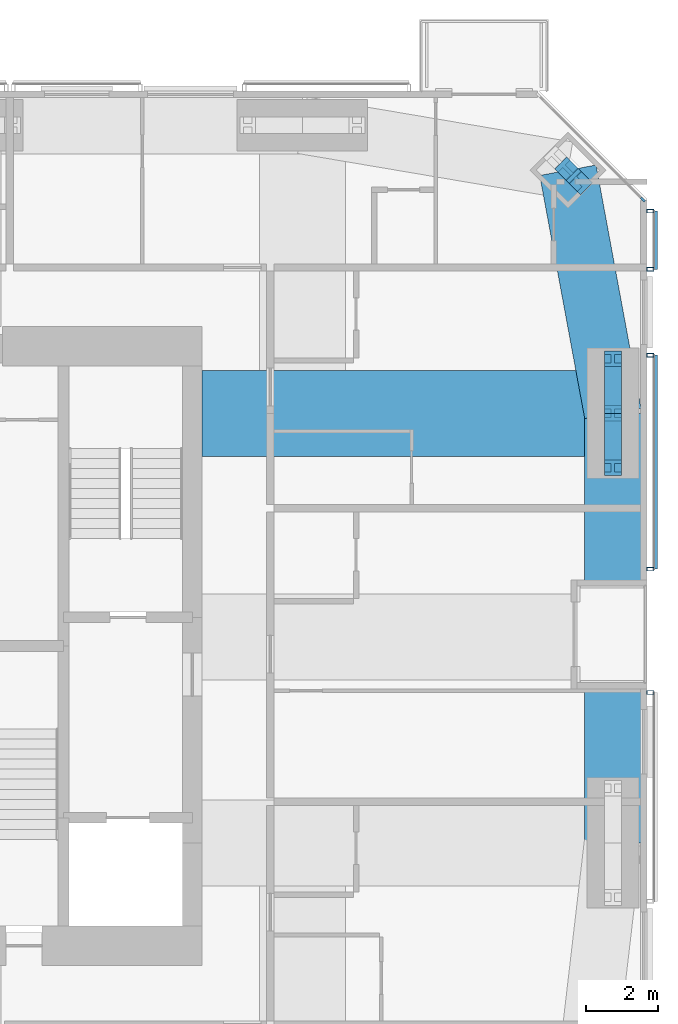
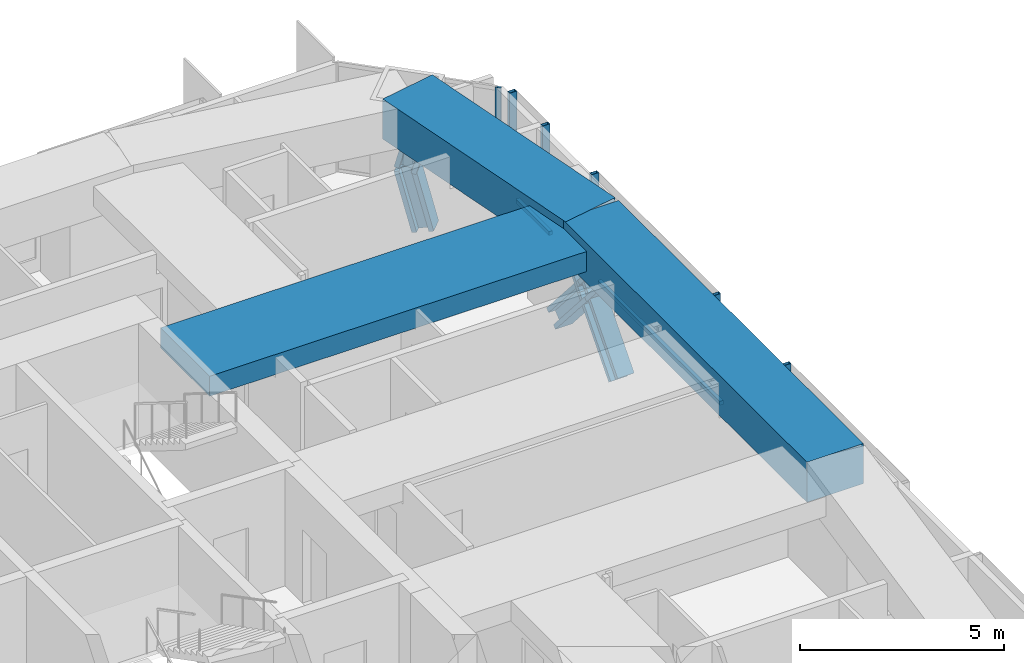
# One storey, part 9 of 19: 14 members, 3 beams, 4 elements without a shape of their own.
"""IFC4 building model written with IfcOpenShell, lengths in metres."""

from ifc_helpers import new_model, si_unit, direction, frame, origin, origin_2d, place, context, subcontext, project, spatial, rectangle, hollow_rectangle, i_section, extrude, material, material_profile, profile_set, type_object, element, aggregate, save


model = new_model("IFC4")

# Units and contexts
model_context = context("Model", 3, precision=1e-05, world=origin(), true_north=direction((0.0, 1.0)))
body_context = subcontext(model_context, "Body", "Model", "MODEL_VIEW")
ifc_project = project(units=[si_unit("LENGTHUNIT", "METRE"), si_unit("AREAUNIT", "SQUARE_METRE"), si_unit("VOLUMEUNIT", "CUBIC_METRE"), si_unit("PLANEANGLEUNIT", "RADIAN"), si_unit("MASSUNIT", "GRAM", prefix="KILO")], contexts=[model_context])

# Site, building, storey
site_placement = place(None, origin())
site = spatial("IfcSite", under=ifc_project, at=site_placement, CompositionType="ELEMENT")
building_placement = place(site_placement, origin())
building = spatial("IfcBuilding", under=site, at=building_placement, Name="Jalousie Tower", CompositionType="ELEMENT")
storey_placement = place(building_placement, frame((0.0, 0.0, 221.449951171875)))
storey = spatial("IfcBuildingStorey", under=building, at=storey_placement, Name="L60", CompositionType="ELEMENT", Elevation=221.449951171875)

# Curtain wall, member
ifc_material_1 = material(Name="Aluminium curtain wall", Category="aluminium")
curtain_wall_type_1 = type_object("IfcCurtainWallType", Name="CORNER WINDOW WALL", PredefinedType="USERDEFINED", material=ifc_material_1)
curtain_wall_1_placement = place(storey_placement, origin())
curtain_wall_1 = element("IfcCurtainWall", 1, at=curtain_wall_1_placement, inside=storey, type_object=curtain_wall_type_1, Name="Corner Window Wall L60 4", ObjectType="CORNER WINDOW WALL", PredefinedType="USERDEFINED")
ifc_material_2 = material(Name="Aluminium mullion", Category="aluminium")
ifc_material_profile_1 = material_profile(ifc_material_2, rectangle(XDim=0.06005859375, YDim=0.14990234375, at=origin_2d()), Name="MULLION 60x150")
ifc_profile_set_1 = profile_set([ifc_material_profile_1], Name="Aluminium mullion")
member_type_1 = type_object("IfcMemberType", Name="CORNER WINDOW WALL MULLION", PredefinedType="MULLION", material=ifc_profile_set_1)
member_1_placement = place(storey_placement, frame((56.391357421875, 30.969970703125, 0.0), z_axis=(0.0, 0.0, 1.0), x_axis=(-0.707106781187, -0.707106781187, 0.0)))
member_1 = element("IfcMember", 2, at=member_1_placement, type_object=member_type_1, Name="CW-C mullion 1", PredefinedType="MULLION", context=body_context, shape_type="SweptSolid", body=[
    extrude(rectangle(XDim=0.06005859375, YDim=0.14990234375, at=origin_2d()), origin(), (0.0, 0.0, 1.0), 3.260009765625),
])
aggregate(curtain_wall_1, [member_1])

# Members
ifc_material_3 = material(Name="Steel ASTM A992 Grade 50", Category="steel")
ifc_material_profile_2 = material_profile(ifc_material_3, i_section(OverallWidth=0.472412109375, OverallDepth=0.5791015625, WebThickness=0.094970703125, FlangeThickness=0.1298828125, at=origin_2d()), Name="W14X808")
ifc_profile_set_2 = profile_set([ifc_material_profile_2], Name="Steel ASTM A992 Grade 50")
member_type_2 = type_object("IfcMemberType", Name="PERIMETER BRACE W14X808", PredefinedType="BRACE", material=ifc_profile_set_2)
for number, where, z_axis, x_axis, name in (
    (3, (55.550048828125, 23.47509765625, -0.599853515625), (0.0, 0.65695436777, 0.753930340726), (-1.0, 0.0, 0.0), "Perimeter brace 07 L60 part 1"),
    (4, (55.550048828125, 25.0, 1.150146484375), (0.0, 0.65695436777, 0.753930340726), (-1.0, 0.0, 0.0), "Perimeter brace 07 L60 part 2"),
    (5, (55.550048828125, 26.52490234375, -0.599853515625), (0.0, -0.65695436777, 0.753930340726), (1.0, 0.0, 0.0), "Perimeter brace 07 L60 part 3"),
    (6, (55.550048828125, 25.0, 1.150146484375), (0.0, -0.65695436777, 0.753930340726), (1.0, 0.0, 0.0), "Perimeter brace 07 L60 part 4"),
):
    element("IfcMember", number, at=place(storey_placement, frame(where, z_axis=z_axis, x_axis=x_axis)), inside=storey, type_object=member_type_2, Name=name, PredefinedType="BRACE", context=body_context, shape_type="SweptSolid", body=[
        extrude(i_section(OverallWidth=0.472412109375, OverallDepth=0.5791015625, WebThickness=0.094970703125, FlangeThickness=0.1298828125, at=origin_2d()), origin(), (0.0, 0.0, 1.0), 2.3212890625),
    ])
for number, where, z_axis, x_axis, name in (
    (7, (54.611083984375, 31.474609375, -0.599853515625), (-0.176051427143, 0.17618653952, 0.968485517854), (-0.707377963048, -0.706835495285, 0.0), "Perimeter brace 08 L60 part 1"),
    (8, (54.29296875, 31.79296875, 1.150146484375), (0.176051427143, -0.17618653952, 0.968485517854), (0.707377963048, 0.706835495285, 0.0), "Perimeter brace 08 L60 part 4"),
):
    element("IfcMember", number, at=place(storey_placement, frame(where, z_axis=z_axis, x_axis=x_axis)), inside=storey, type_object=member_type_2, Name=name, PredefinedType="BRACE", context=body_context, shape_type="SweptSolid", body=[
        extrude(i_section(OverallWidth=0.472412109375, OverallDepth=0.5791015625, WebThickness=0.094970703125, FlangeThickness=0.1298828125, at=origin_2d()), origin(), (0.0, 0.0, 1.0), 1.806884765625),
    ])

# Beams
ifc_material_4 = material(Name="Concrete f'c 40 MPa", Category="concrete")
ifc_material_profile_3 = material_profile(ifc_material_4, rectangle(XDim=1.60009765625, YDim=1.199951171875, at=origin_2d()), Name="RC 1600x1200")
ifc_profile_set_3 = profile_set([ifc_material_profile_3], Name="Concrete f'c 40 MPa")
beam_type_1 = type_object("IfcBeamType", Name="RC BEAM 1600x1200", PredefinedType="BEAM", material=ifc_profile_set_3)
beam_1_placement = place(storey_placement, frame((55.550048828125, 13.0, 2.900146484375), z_axis=(0.0, 1.0, 0.0), x_axis=(-1.0, 0.0, 0.0)))
element("IfcBeam", 9, at=beam_1_placement, inside=storey, type_object=beam_type_1, Name="Edge band beam 06-07 under L61", PredefinedType="BEAM", context=body_context, shape_type="SweptSolid", body=[
    extrude(rectangle(XDim=1.60009765625, YDim=1.199951171875, at=origin_2d()), origin(), (0.0, 0.0, 1.0), 12.0),
])
beam_2_placement = place(storey_placement, frame((55.550048828125, 25.0, 2.900146484375), z_axis=(-0.181966505593, 0.983304729391, 0.0), x_axis=(-0.983304729391, -0.181966505593, 0.0)))
element("IfcBeam", 10, at=beam_2_placement, inside=storey, type_object=beam_type_1, Name="Edge band beam 07-08 under L61", PredefinedType="BEAM", context=body_context, shape_type="SweptSolid", body=[
    extrude(rectangle(XDim=1.60009765625, YDim=1.199951171875, at=origin_2d()), origin(), (0.0, 0.0, 1.0), 6.908203125),
])
ifc_material_5 = material(Name="Concrete f'c 40 MPa", Category="concrete")
ifc_material_profile_4 = material_profile(ifc_material_5, rectangle(XDim=2.39990234375, YDim=0.60009765625, at=origin_2d()), Name="RC 2400x600")
ifc_profile_set_4 = profile_set([ifc_material_profile_4], Name="Concrete f'c 40 MPa")
beam_type_2 = type_object("IfcBeamType", Name="RC BEAM 2400x600", PredefinedType="BEAM", material=ifc_profile_set_4)
beam_3_placement = place(storey_placement, frame((55.550048828125, 25.0, 2.9599609375), z_axis=(-1.0, 0.0, 0.0), x_axis=(0.0, -1.0, 0.0)))
element("IfcBeam", 11, at=beam_3_placement, inside=storey, type_object=beam_type_2, Name="Floor band beam under L61", PredefinedType="BEAM", context=body_context, shape_type="SweptSolid", body=[
    extrude(rectangle(XDim=2.39990234375, YDim=0.60009765625, at=origin_2d()), origin(), (0.0, 0.0, 1.0), 11.47509765625),
])

# Curtain wall, member
ifc_material_6 = material(Name="Perforated aluminium sheet", Category="aluminium")
curtain_wall_type_2 = type_object("IfcCurtainWallType", Name="SOLAR SCREEN SS-2", PredefinedType="USERDEFINED", material=ifc_material_6)
curtain_wall_2_placement = place(storey_placement, origin())
curtain_wall_2 = element("IfcCurtainWall", 12, at=curtain_wall_2_placement, inside=storey, type_object=curtain_wall_type_2, Name="Solar screen L60", ObjectType="SOLAR SCREEN SS-2", PredefinedType="USERDEFINED")
ifc_material_7 = material(Name="Steel ASTM A500 Grade C", Category="steel")
ifc_material_profile_5 = material_profile(ifc_material_7, hollow_rectangle(XDim=0.1015625, YDim=0.203125, WallThickness=0.0078125, at=origin_2d()), Name="HSS8X4X5/16")
ifc_profile_set_5 = profile_set([ifc_material_profile_5], Name="Steel ASTM A500 Grade C")
member_type_3 = type_object("IfcMemberType", Name="SOLAR SCREEN SS-2 MULLION", PredefinedType="MULLION", material=ifc_profile_set_5)
member_2_placement = place(storey_placement, frame((56.5966796875, 17.199951171875, -0.119873046875), z_axis=(0.0, 0.0, 1.0), x_axis=(0.0, 1.0, 0.0)))
member_2 = element("IfcMember", 13, at=member_2_placement, type_object=member_type_3, Name="SS2 post 2", PredefinedType="MULLION", context=body_context, shape_type="SweptSolid", body=[
    extrude(hollow_rectangle(XDim=0.1015625, YDim=0.203125, WallThickness=0.0078125, at=origin_2d()), origin(), (0.0, 0.0, 1.0), 3.3798828125),
])
aggregate(curtain_wall_2, [member_2])

# Curtain wall, members
curtain_wall_3_placement = place(storey_placement, origin())
curtain_wall_3 = element("IfcCurtainWall", 14, at=curtain_wall_3_placement, inside=storey, type_object=curtain_wall_type_2, Name="Solar screen L60", ObjectType="SOLAR SCREEN SS-2", PredefinedType="USERDEFINED")
member_3_placement = place(storey_placement, frame((56.5966796875, 20.64990234375, -0.119873046875), z_axis=(0.0, 0.0, 1.0), x_axis=(0.0, 1.0, 0.0)))
member_3 = element("IfcMember", 15, at=member_3_placement, type_object=member_type_3, Name="SS2 post 1", PredefinedType="MULLION", context=body_context, shape_type="SweptSolid", body=[
    extrude(hollow_rectangle(XDim=0.1015625, YDim=0.203125, WallThickness=0.0078125, at=origin_2d()), origin(), (0.0, 0.0, 1.0), 3.3798828125),
])
member_4_placement = place(storey_placement, frame((56.5966796875, 26.625, -0.119873046875), z_axis=(0.0, 0.0, 1.0), x_axis=(0.0, 1.0, 0.0)))
member_4 = element("IfcMember", 16, at=member_4_placement, type_object=member_type_3, Name="SS2 post 2", PredefinedType="MULLION", context=body_context, shape_type="SweptSolid", body=[
    extrude(hollow_rectangle(XDim=0.1015625, YDim=0.203125, WallThickness=0.0078125, at=origin_2d()), origin(), (0.0, 0.0, 1.0), 3.3798828125),
])

curtain_wall_4_placement = place(storey_placement, origin())
curtain_wall_4 = element("IfcCurtainWall", 17, at=curtain_wall_4_placement, inside=storey, type_object=curtain_wall_type_2, Name="Solar screen L60", ObjectType="SOLAR SCREEN SS-2", PredefinedType="USERDEFINED")
member_5_placement = place(storey_placement, frame((56.5966796875, 29.02490234375, -0.119873046875), z_axis=(0.0, 0.0, 1.0), x_axis=(0.0, 1.0, 0.0)))
member_5 = element("IfcMember", 18, at=member_5_placement, type_object=member_type_3, Name="SS2 post 1", PredefinedType="MULLION", context=body_context, shape_type="SweptSolid", body=[
    extrude(hollow_rectangle(XDim=0.1015625, YDim=0.203125, WallThickness=0.0078125, at=origin_2d()), origin(), (0.0, 0.0, 1.0), 3.3798828125),
])
member_6_placement = place(storey_placement, frame((56.5966796875, 30.648681640625, -0.119873046875), z_axis=(0.0, 0.0, 1.0), x_axis=(0.0, 1.0, 0.0)))
member_6 = element("IfcMember", 19, at=member_6_placement, type_object=member_type_3, Name="SS2 post 2", PredefinedType="MULLION", context=body_context, shape_type="SweptSolid", body=[
    extrude(hollow_rectangle(XDim=0.1015625, YDim=0.203125, WallThickness=0.0078125, at=origin_2d()), origin(), (0.0, 0.0, 1.0), 3.3798828125),
])

# Member
ifc_material_8 = material(Name="Extruded aluminium screen rail", Category="aluminium")
ifc_material_profile_6 = material_profile(ifc_material_8, rectangle(XDim=0.1015625, YDim=0.1201171875, at=origin_2d()), Name="RAIL 102x120")
ifc_profile_set_6 = profile_set([ifc_material_profile_6], Name="Extruded aluminium screen rail")
member_type_4 = type_object("IfcMemberType", Name="SOLAR SCREEN SS-2 TRANSOM", PredefinedType="USERDEFINED", material=ifc_profile_set_6)
member_7_placement = place(storey_placement, frame((56.7490234375, 20.64990234375, -0.06005859375), z_axis=(0.0, 1.0, 0.0), x_axis=(-1.0, 0.0, 0.0)))
member_7 = element("IfcMember", 20, at=member_7_placement, type_object=member_type_4, Name="SS2 rail", ObjectType="TRANSOM", PredefinedType="USERDEFINED", context=body_context, shape_type="SweptSolid", body=[
    extrude(rectangle(XDim=0.1015625, YDim=0.1201171875, at=origin_2d()), origin(), (0.0, 0.0, 1.0), 5.97509765625),
])

aggregate(curtain_wall_3, [member_3, member_4, member_7])

member_8_placement = place(storey_placement, frame((56.7490234375, 29.02490234375, -0.06005859375), z_axis=(0.0, 1.0, 0.0), x_axis=(-1.0, 0.0, 0.0)))
member_8 = element("IfcMember", 21, at=member_8_placement, type_object=member_type_4, Name="SS2 rail", ObjectType="TRANSOM", PredefinedType="USERDEFINED", context=body_context, shape_type="SweptSolid", body=[
    extrude(rectangle(XDim=0.1015625, YDim=0.1201171875, at=origin_2d()), origin(), (0.0, 0.0, 1.0), 1.623779296875),
])

aggregate(curtain_wall_4, [member_5, member_6, member_8])

save(model, "model.ifc")
